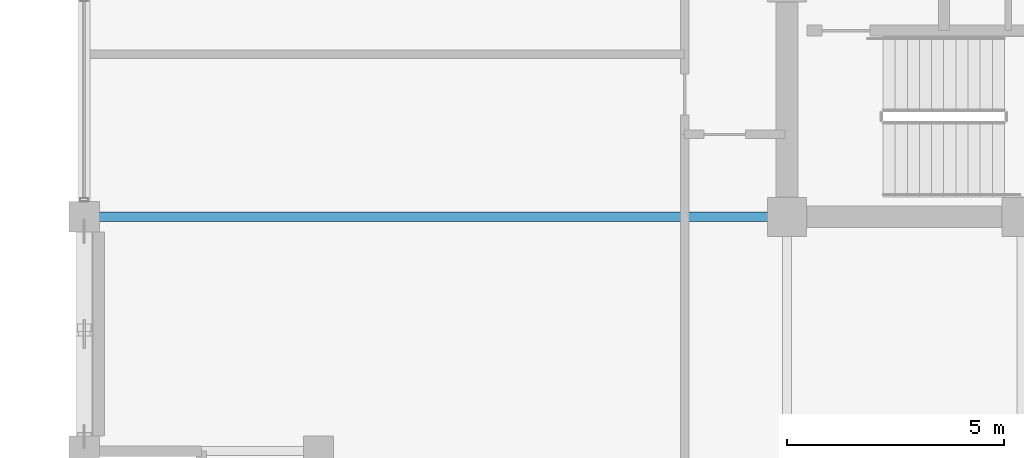
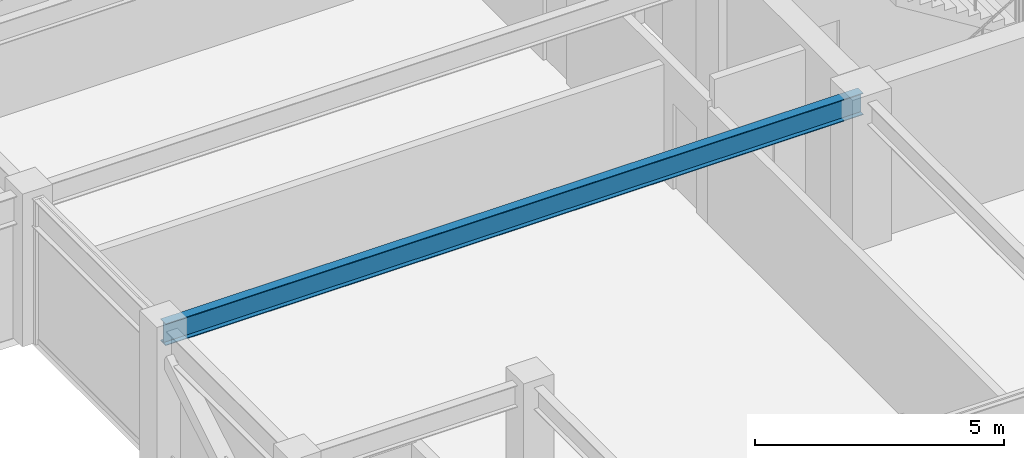
# One storey, part 5 of 30: 1 beam.
"""IFC4 building model written with IfcOpenShell, lengths in metres."""

from ifc_helpers import new_model, si_unit, direction, frame, origin, origin_2d, place, context, subcontext, project, spatial, i_section, extrude, material, material_profile, profile_set, type_object, element, save


model = new_model("IFC4")

# Units and contexts
model_context = context("Model", 3, precision=1e-05, world=origin(), true_north=direction((0.0, 1.0)))
body_context = subcontext(model_context, "Body", "Model", "MODEL_VIEW")
ifc_project = project(units=[si_unit("LENGTHUNIT", "METRE"), si_unit("AREAUNIT", "SQUARE_METRE"), si_unit("VOLUMEUNIT", "CUBIC_METRE"), si_unit("PLANEANGLEUNIT", "RADIAN"), si_unit("MASSUNIT", "GRAM", prefix="KILO")], contexts=[model_context])

# Site, building, storey
site_placement = place(None, origin())
site = spatial("IfcSite", under=ifc_project, at=site_placement, CompositionType="ELEMENT")
building_placement = place(site_placement, origin())
building = spatial("IfcBuilding", under=site, at=building_placement, Name="Surkhivell Harbour Commons", CompositionType="ELEMENT")
storey_placement = place(building_placement, frame((0.0, 0.0, 303.75)))
storey = spatial("IfcBuildingStorey", under=building, at=storey_placement, Name="L79", CompositionType="ELEMENT", Elevation=303.75)

# Beam
ifc_material = material(Name="Steel S355", Category="steel")
ifc_material_profile = material_profile(ifc_material, i_section(OverallWidth=0.2099609375, OverallDepth=0.537109375, WebThickness=0.0107421875, FlangeThickness=0.017333984375, at=origin_2d()), Name="UB533x210x101")
ifc_profile_set = profile_set([ifc_material_profile], Name="Steel S355")
beam_type = type_object("IfcBeamType", Name="BM-GRD-533B", PredefinedType="BEAM", material=ifc_profile_set)
beam_placement = place(storey_placement, frame((-27.0, -10.800048828125, 3.301513671875), z_axis=(1.0, 0.0, 0.0), x_axis=(0.0, 1.0, 0.0)))
element("IfcBeam", 1, at=beam_placement, inside=storey, type_object=beam_type, Name="L79 Floor Girder (-27.0,-10.8)", PredefinedType="BEAM", context=body_context, shape_type="SweptSolid", body=[
    extrude(i_section(OverallWidth=0.2099609375, OverallDepth=0.537109375, WebThickness=0.0107421875, FlangeThickness=0.017333984375, at=origin_2d()), origin(), (0.0, 0.0, 1.0), 16.199951171875),
])

save(model, "model.ifc")
